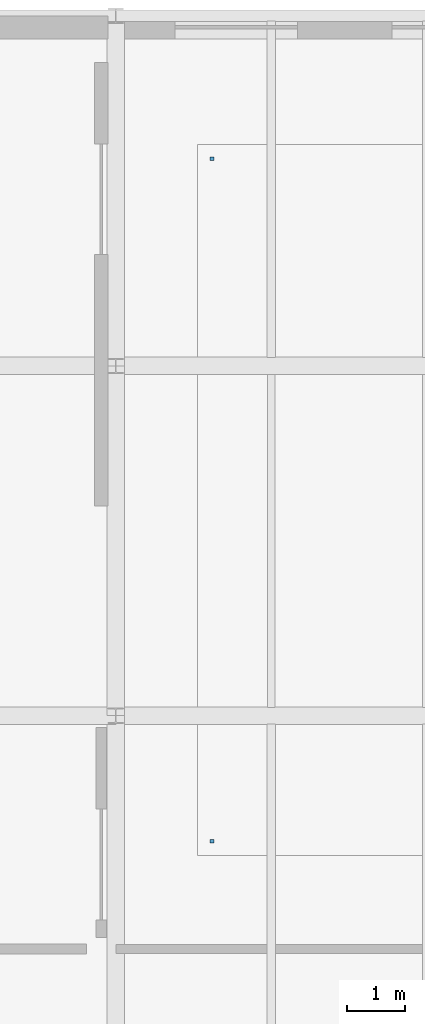
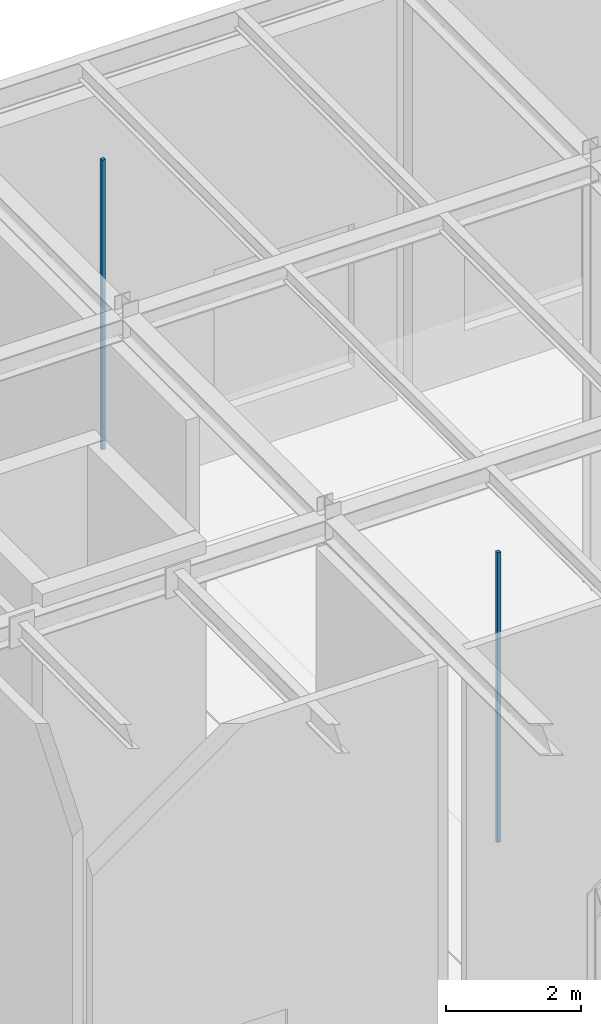
# One storey, part 107 of 138: 2 discrete accessories.
"""IFC4 building model written with IfcOpenShell, lengths in metres."""

from ifc_helpers import new_model, si_unit, direction, frame, origin, origin_2d, place, context, subcontext, project, spatial, rectangle, extrude, material, type_object, element, save


model = new_model("IFC4")

# Units and contexts
model_context = context("Model", 3, precision=1e-05, world=origin(), true_north=direction((0.0, 1.0)))
body_context = subcontext(model_context, "Body", "Model", "MODEL_VIEW")
ifc_project = project(units=[si_unit("LENGTHUNIT", "METRE"), si_unit("AREAUNIT", "SQUARE_METRE"), si_unit("VOLUMEUNIT", "CUBIC_METRE"), si_unit("PLANEANGLEUNIT", "RADIAN"), si_unit("MASSUNIT", "GRAM", prefix="KILO")], contexts=[model_context])

# Site, building, storey
site_placement = place(None, origin())
site = spatial("IfcSite", under=ifc_project, at=site_placement, CompositionType="ELEMENT")
building_placement = place(site_placement, origin())
building = spatial("IfcBuilding", under=site, at=building_placement, Name="Sundkrona Museum", CompositionType="ELEMENT")
storey_placement = place(building_placement, frame((0.0, 0.0, 9.60009765625)))
storey = spatial("IfcBuildingStorey", under=building, at=storey_placement, Name="L02", CompositionType="ELEMENT", Elevation=9.60009765625)

# Discrete accessories
ifc_material = material(Name="Stainless Steel EN 1.4404 Cleat", Category="steel")
discrete_accessory_type = type_object("IfcDiscreteAccessoryType", Name="BRK-FIN-01", PredefinedType="BRACKET", material=ifc_material)
for number, where, z_axis, x_axis, name in (
    (1, (57.64990234375, 99.85009765625, 2.5498046875), (0.0, 0.0, 1.0), (1.0, 0.0, 0.0), "L02 Tapestry and Textile Gallery Ceiling Hanger 1"),
    (2, (57.64990234375, 111.550048828125, 2.5498046875), (0.0, 0.0, 1.0), (1.0, 0.0, 0.0), "L02 Tapestry and Textile Gallery Ceiling Hanger 4"),
):
    element("IfcDiscreteAccessory", number, at=place(storey_placement, frame(where, z_axis=z_axis, x_axis=x_axis)), inside=storey, type_object=discrete_accessory_type, Name=name, PredefinedType="BRACKET", context=body_context, shape_type="SweptSolid", body=[
        extrude(rectangle(XDim=0.06005859375, YDim=0.06005859375, at=origin_2d()), origin(), (0.0, 0.0, 1.0), 5.239990234375),
    ])

save(model, "model.ifc")
